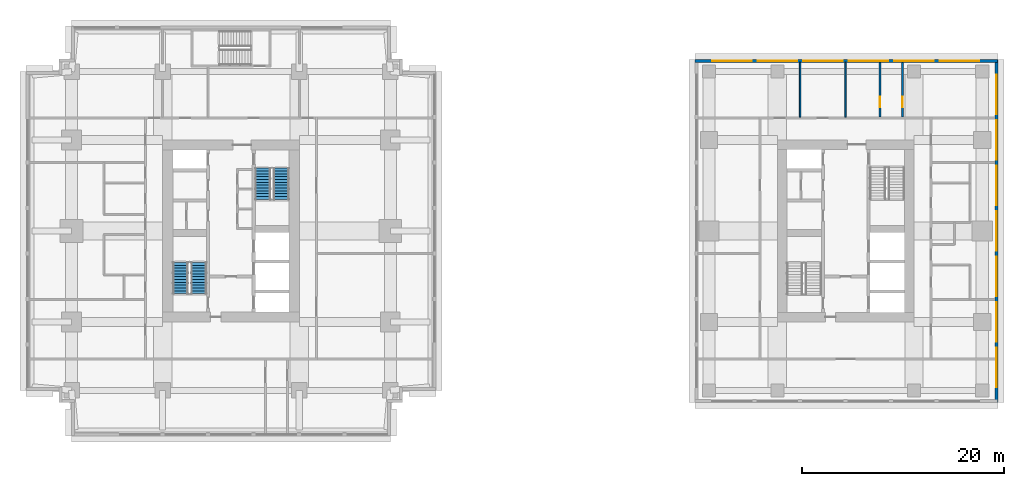
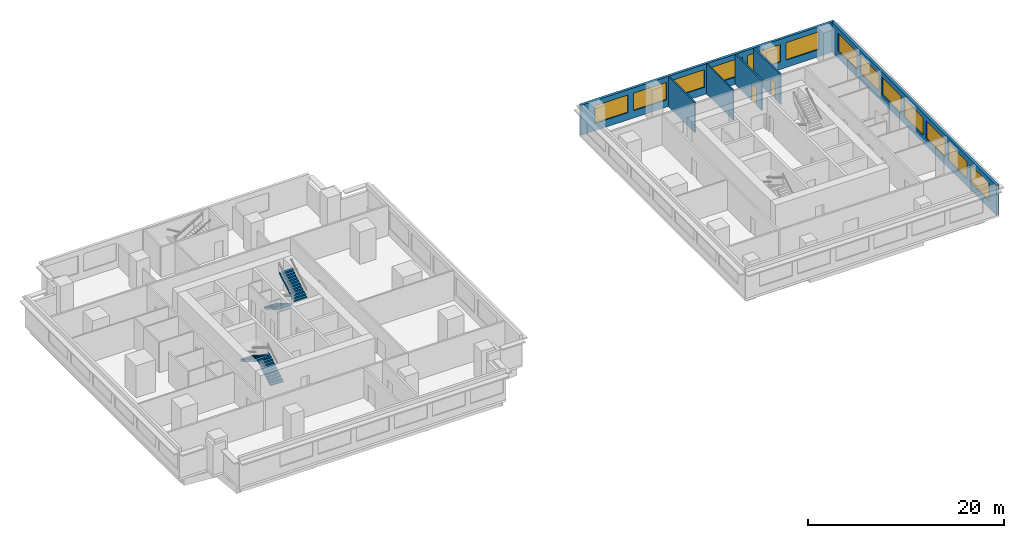
# One storey, part 8 of 11: 13 windows, 6 walls, 4 stair flights, 2 doors, 15 openings, 2 elements without a shape of their own.
"""IFC4 building model written with IfcOpenShell, lengths in metres."""

from ifc_helpers import new_model, si_unit, direction, frame, frame_2d, origin, place, context, subcontext, project, spatial, polyline, rectangle, outline, extrude, material, layer, layer_set, type_object, element, fill, aggregate, save


model = new_model("IFC4")

# Units and contexts
model_context = context("Model", 3, precision=1e-05, world=origin(), true_north=direction((0.0, 1.0)))
body_context = subcontext(model_context, "Body", "Model", "MODEL_VIEW")
ifc_project = project(units=[si_unit("LENGTHUNIT", "METRE"), si_unit("AREAUNIT", "SQUARE_METRE"), si_unit("VOLUMEUNIT", "CUBIC_METRE"), si_unit("PLANEANGLEUNIT", "RADIAN"), si_unit("MASSUNIT", "GRAM", prefix="KILO")], contexts=[model_context])

# Site, building, storey
site_placement = place(None, origin())
site = spatial("IfcSite", under=ifc_project, at=site_placement, CompositionType="ELEMENT")
building_placement = place(site_placement, origin())
building = spatial("IfcBuilding", under=site, at=building_placement, Name="Namib Vertical Campus", CompositionType="ELEMENT")
storey_placement = place(building_placement, frame((0.0, 0.0, 213.0)))
storey = spatial("IfcBuildingStorey", under=building, at=storey_placement, Name="L50", CompositionType="ELEMENT", Elevation=213.0)

# Wall, opening, door
ifc_material_1 = material(Name="Concrete masonry", Category="masonry")
ifc_layer_1 = layer(ifc_material_1, 0.199951171875)
ifc_layer_set_1 = layer_set([ifc_layer_1], Name="Corridor wall 200")
wall_type_1 = type_object("IfcWallType", Name="Corridor wall 200", PredefinedType="SOLIDWALL", material=ifc_layer_set_1)
wall_1_placement = place(storey_placement, frame((84.39990234375, 31.5, 0.0), z_axis=(0.0, 0.0, 1.0), x_axis=(0.0, 1.0, 0.0)))
wall_1 = element("IfcWall", 1, at=wall_1_placement, inside=storey, type_object=wall_type_1, Name="Corridor wall B L50 SPN1", PredefinedType="SOLIDWALL", context=body_context, shape_type="SweptSolid", body=[
    extrude(rectangle(XDim=5.39990234375, YDim=0.199951171875, at=frame_2d((2.699951171875, 0.0))), origin(), (0.0, 0.0, 1.0), 3.75),
])
opening_1_placement = place(wall_1_placement, frame((1.0, 0.0, 0.0)))
opening_1 = element("IfcOpeningElement", 2, at=opening_1_placement, cuts=wall_1, Name="Opening CD1", PredefinedType="OPENING", context=body_context, shape_type="SweptSolid", body=[
    extrude(rectangle(XDim=1.0, YDim=2.10009765625, at=frame_2d((0.5, 1.050048828125))), frame((0.0, 0.10986328125, 0.0), z_axis=(0.0, -1.0, 0.0), x_axis=(1.0, 0.0, 0.0)), (0.0, 0.0, 1.0), 0.219970703125),
])
ifc_material_2 = material(Name="Timber fire door leaf", Category="wood")
door_type = type_object("IfcDoorType", Name="Corridor door 1000x2100 20 min", OperationType="SINGLE_SWING_LEFT", PredefinedType="DOOR", material=ifc_material_2)
door_1_placement = place(opening_1_placement, origin())
door_1 = element("IfcDoor", 3, at=door_1_placement, inside=storey, type_object=door_type, Name="Door CD1 B50-11", OperationType="SINGLE_SWING_LEFT", OverallHeight=2.10009765625, OverallWidth=1.0, PredefinedType="DOOR", context=body_context, shape_type="SweptSolid", body=[
    extrude(rectangle(XDim=1.0, YDim=2.10009765625, at=frame_2d((0.5, 1.050048828125))), frame((0.0, 0.02490234375, 0.0), z_axis=(0.0, -1.0, 0.0), x_axis=(1.0, 0.0, 0.0)), (0.0, 0.0, 1.0), 0.050048828125),
])
fill(opening_1, door_1)

wall_2_placement = place(storey_placement, frame((86.60009765625, 36.89990234375, 0.0), z_axis=(0.0, 0.0, 1.0), x_axis=(0.0, -1.0, 0.0)))
wall_2 = element("IfcWall", 4, at=wall_2_placement, inside=storey, type_object=wall_type_1, Name="Corridor wall B L50 SPN2", PredefinedType="SOLIDWALL", context=body_context, shape_type="SweptSolid", body=[
    extrude(rectangle(XDim=5.39990234375, YDim=0.199951171875, at=frame_2d((2.699951171875, 0.0))), origin(), (0.0, 0.0, 1.0), 3.75),
])
opening_2_placement = place(wall_2_placement, frame((3.39990234375, 0.0, 0.0)))
opening_2 = element("IfcOpeningElement", 5, at=opening_2_placement, cuts=wall_2, Name="Opening CD1", PredefinedType="OPENING", context=body_context, shape_type="SweptSolid", body=[
    extrude(rectangle(XDim=1.0, YDim=2.10009765625, at=frame_2d((0.5, 1.050048828125))), frame((0.0, 0.10986328125, 0.0), z_axis=(0.0, -1.0, 0.0), x_axis=(1.0, 0.0, 0.0)), (0.0, 0.0, 1.0), 0.219970703125),
])
door_2_placement = place(opening_2_placement, origin())
door_2 = element("IfcDoor", 6, at=door_2_placement, inside=storey, type_object=door_type, Name="Door CD1 B50-12", OperationType="SINGLE_SWING_RIGHT", OverallHeight=2.10009765625, OverallWidth=1.0, PredefinedType="DOOR", context=body_context, shape_type="SweptSolid", body=[
    extrude(rectangle(XDim=1.0, YDim=2.10009765625, at=frame_2d((0.5, 1.050048828125))), frame((0.0, 0.02490234375, 0.0), z_axis=(0.0, -1.0, 0.0), x_axis=(1.0, 0.0, 0.0)), (0.0, 0.0, 1.0), 0.050048828125),
])
fill(opening_2, door_2)

# Wall, openings, windows
ifc_material_3 = material(Name="Concrete C40/50", Category="concrete")
ifc_layer_2 = layer(ifc_material_3, 0.300048828125)
ifc_layer_set_2 = layer_set([ifc_layer_2], Name="Concrete C40/50")
wall_type_2 = type_object("IfcWallType", Name="External wall 300 board-marked concrete", PredefinedType="STANDARD", material=ifc_layer_set_2)
wall_3_placement = place(storey_placement, frame((95.89990234375, 3.320068359375, 0.0), z_axis=(0.0, 0.0, 1.0), x_axis=(0.0, 1.0, 0.0)))
wall_3 = element("IfcWall", 7, at=wall_3_placement, inside=storey, type_object=wall_type_2, Name="External wall L50 F02", PredefinedType="STANDARD", context=body_context, shape_type="SweptSolid", body=[
    extrude(rectangle(XDim=33.85986328125, YDim=0.300048828125, at=frame_2d((16.929931640625, 0.0))), origin(), (0.0, 0.0, 1.0), 3.75),
])
opening_3_placement = place(wall_3_placement, frame((1.47998046875, 0.0, 0.89990234375)))
opening_3 = element("IfcOpeningElement", 8, at=opening_3_placement, cuts=wall_3, Name="Opening W1", PredefinedType="OPENING", context=body_context, shape_type="SweptSolid", body=[
    extrude(rectangle(XDim=3.89990234375, YDim=2.199951171875, at=frame_2d((1.949951171875, 1.10009765625))), frame((0.0, 0.159912109375, 0.0), z_axis=(0.0, -1.0, 0.0), x_axis=(1.0, 0.0, 0.0)), (0.0, 0.0, 1.0), 0.320068359375),
])
opening_4_placement = place(wall_3_placement, frame((5.97998046875, 0.0, 0.89990234375)))
opening_4 = element("IfcOpeningElement", 9, at=opening_4_placement, cuts=wall_3, Name="Opening W1", PredefinedType="OPENING", context=body_context, shape_type="SweptSolid", body=[
    extrude(rectangle(XDim=3.89990234375, YDim=2.199951171875, at=frame_2d((1.949951171875, 1.10009765625))), frame((0.0, 0.159912109375, 0.0), z_axis=(0.0, -1.0, 0.0), x_axis=(1.0, 0.0, 0.0)), (0.0, 0.0, 1.0), 0.320068359375),
])
opening_5_placement = place(wall_3_placement, frame((10.47998046875, 0.0, 0.89990234375)))
opening_5 = element("IfcOpeningElement", 10, at=opening_5_placement, cuts=wall_3, Name="Opening W1", PredefinedType="OPENING", context=body_context, shape_type="SweptSolid", body=[
    extrude(rectangle(XDim=3.89990234375, YDim=2.199951171875, at=frame_2d((1.949951171875, 1.10009765625))), frame((0.0, 0.159912109375, 0.0), z_axis=(0.0, -1.0, 0.0), x_axis=(1.0, 0.0, 0.0)), (0.0, 0.0, 1.0), 0.320068359375),
])
opening_6_placement = place(wall_3_placement, frame((14.97998046875, 0.0, 0.89990234375)))
opening_6 = element("IfcOpeningElement", 11, at=opening_6_placement, cuts=wall_3, Name="Opening W1", PredefinedType="OPENING", context=body_context, shape_type="SweptSolid", body=[
    extrude(rectangle(XDim=3.89990234375, YDim=2.199951171875, at=frame_2d((1.949951171875, 1.10009765625))), frame((0.0, 0.159912109375, 0.0), z_axis=(0.0, -1.0, 0.0), x_axis=(1.0, 0.0, 0.0)), (0.0, 0.0, 1.0), 0.320068359375),
])
opening_7_placement = place(wall_3_placement, frame((19.47998046875, 0.0, 0.89990234375)))
opening_7 = element("IfcOpeningElement", 12, at=opening_7_placement, cuts=wall_3, Name="Opening W1", PredefinedType="OPENING", context=body_context, shape_type="SweptSolid", body=[
    extrude(rectangle(XDim=3.89990234375, YDim=2.199951171875, at=frame_2d((1.949951171875, 1.10009765625))), frame((0.0, 0.159912109375, 0.0), z_axis=(0.0, -1.0, 0.0), x_axis=(1.0, 0.0, 0.0)), (0.0, 0.0, 1.0), 0.320068359375),
])
opening_8_placement = place(wall_3_placement, frame((23.97998046875, 0.0, 0.89990234375)))
opening_8 = element("IfcOpeningElement", 13, at=opening_8_placement, cuts=wall_3, Name="Opening W1", PredefinedType="OPENING", context=body_context, shape_type="SweptSolid", body=[
    extrude(rectangle(XDim=3.89990234375, YDim=2.199951171875, at=frame_2d((1.949951171875, 1.10009765625))), frame((0.0, 0.159912109375, 0.0), z_axis=(0.0, -1.0, 0.0), x_axis=(1.0, 0.0, 0.0)), (0.0, 0.0, 1.0), 0.320068359375),
])
opening_9_placement = place(wall_3_placement, frame((28.47998046875, 0.0, 0.89990234375)))
opening_9 = element("IfcOpeningElement", 14, at=opening_9_placement, cuts=wall_3, Name="Opening W1", PredefinedType="OPENING", context=body_context, shape_type="SweptSolid", body=[
    extrude(rectangle(XDim=3.89990234375, YDim=2.199951171875, at=frame_2d((1.949951171875, 1.10009765625))), frame((0.0, 0.159912109375, 0.0), z_axis=(0.0, -1.0, 0.0), x_axis=(1.0, 0.0, 0.0)), (0.0, 0.0, 1.0), 0.320068359375),
])
ifc_material_4 = material(Name="Dark tinted glass in black aluminium frame", Category="aluminium")
window_type = type_object("IfcWindowType", Name="Ribbon window 3900x2200", PartitioningType="SINGLE_PANEL", PredefinedType="WINDOW", material=ifc_material_4)
window_1_placement = place(opening_3_placement, origin())
window_1 = element("IfcWindow", 15, at=window_1_placement, inside=storey, type_object=window_type, Name="Window W1 L50 F02-1", OverallHeight=2.199951171875, OverallWidth=3.89990234375, PartitioningType="SINGLE_PANEL", PredefinedType="WINDOW", context=body_context, shape_type="SweptSolid", body=[
    extrude(rectangle(XDim=3.89990234375, YDim=2.199951171875, at=frame_2d((1.949951171875, 1.10009765625))), frame((0.0, 0.030029296875, 0.0), z_axis=(0.0, -1.0, 0.0), x_axis=(1.0, 0.0, 0.0)), (0.0, 0.0, 1.0), 0.06005859375),
])
fill(opening_3, window_1)
window_2_placement = place(opening_4_placement, origin())
window_2 = element("IfcWindow", 16, at=window_2_placement, inside=storey, type_object=window_type, Name="Window W1 L50 F02-2", OverallHeight=2.199951171875, OverallWidth=3.89990234375, PartitioningType="SINGLE_PANEL", PredefinedType="WINDOW", context=body_context, shape_type="SweptSolid", body=[
    extrude(rectangle(XDim=3.89990234375, YDim=2.199951171875, at=frame_2d((1.949951171875, 1.10009765625))), frame((0.0, 0.030029296875, 0.0), z_axis=(0.0, -1.0, 0.0), x_axis=(1.0, 0.0, 0.0)), (0.0, 0.0, 1.0), 0.06005859375),
])
fill(opening_4, window_2)
window_3_placement = place(opening_5_placement, origin())
window_3 = element("IfcWindow", 17, at=window_3_placement, inside=storey, type_object=window_type, Name="Window W1 L50 F02-3", OverallHeight=2.199951171875, OverallWidth=3.89990234375, PartitioningType="SINGLE_PANEL", PredefinedType="WINDOW", context=body_context, shape_type="SweptSolid", body=[
    extrude(rectangle(XDim=3.89990234375, YDim=2.199951171875, at=frame_2d((1.949951171875, 1.10009765625))), frame((0.0, 0.030029296875, 0.0), z_axis=(0.0, -1.0, 0.0), x_axis=(1.0, 0.0, 0.0)), (0.0, 0.0, 1.0), 0.06005859375),
])
fill(opening_5, window_3)
window_4_placement = place(opening_6_placement, origin())
window_4 = element("IfcWindow", 18, at=window_4_placement, inside=storey, type_object=window_type, Name="Window W1 L50 F02-4", OverallHeight=2.199951171875, OverallWidth=3.89990234375, PartitioningType="SINGLE_PANEL", PredefinedType="WINDOW", context=body_context, shape_type="SweptSolid", body=[
    extrude(rectangle(XDim=3.89990234375, YDim=2.199951171875, at=frame_2d((1.949951171875, 1.10009765625))), frame((0.0, 0.030029296875, 0.0), z_axis=(0.0, -1.0, 0.0), x_axis=(1.0, 0.0, 0.0)), (0.0, 0.0, 1.0), 0.06005859375),
])
fill(opening_6, window_4)
window_5_placement = place(opening_7_placement, origin())
window_5 = element("IfcWindow", 19, at=window_5_placement, inside=storey, type_object=window_type, Name="Window W1 L50 F02-5", OverallHeight=2.199951171875, OverallWidth=3.89990234375, PartitioningType="SINGLE_PANEL", PredefinedType="WINDOW", context=body_context, shape_type="SweptSolid", body=[
    extrude(rectangle(XDim=3.89990234375, YDim=2.199951171875, at=frame_2d((1.949951171875, 1.10009765625))), frame((0.0, 0.030029296875, 0.0), z_axis=(0.0, -1.0, 0.0), x_axis=(1.0, 0.0, 0.0)), (0.0, 0.0, 1.0), 0.06005859375),
])
fill(opening_7, window_5)
window_6_placement = place(opening_8_placement, origin())
window_6 = element("IfcWindow", 20, at=window_6_placement, inside=storey, type_object=window_type, Name="Window W1 L50 F02-6", OverallHeight=2.199951171875, OverallWidth=3.89990234375, PartitioningType="SINGLE_PANEL", PredefinedType="WINDOW", context=body_context, shape_type="SweptSolid", body=[
    extrude(rectangle(XDim=3.89990234375, YDim=2.199951171875, at=frame_2d((1.949951171875, 1.10009765625))), frame((0.0, 0.030029296875, 0.0), z_axis=(0.0, -1.0, 0.0), x_axis=(1.0, 0.0, 0.0)), (0.0, 0.0, 1.0), 0.06005859375),
])
fill(opening_8, window_6)
window_7_placement = place(opening_9_placement, origin())
window_7 = element("IfcWindow", 21, at=window_7_placement, inside=storey, type_object=window_type, Name="Window W1 L50 F02-7", OverallHeight=2.199951171875, OverallWidth=3.89990234375, PartitioningType="SINGLE_PANEL", PredefinedType="WINDOW", context=body_context, shape_type="SweptSolid", body=[
    extrude(rectangle(XDim=3.89990234375, YDim=2.199951171875, at=frame_2d((1.949951171875, 1.10009765625))), frame((0.0, 0.030029296875, 0.0), z_axis=(0.0, -1.0, 0.0), x_axis=(1.0, 0.0, 0.0)), (0.0, 0.0, 1.0), 0.06005859375),
])
fill(opening_9, window_7)

wall_4_placement = place(storey_placement, frame((96.030029296875, 37.050048828125, 0.0), z_axis=(0.0, 0.0, 1.0), x_axis=(-1.0, 0.0, 0.0)))
wall_4 = element("IfcWall", 22, at=wall_4_placement, inside=storey, type_object=wall_type_2, Name="External wall L50 F03", PredefinedType="STANDARD", context=body_context, shape_type="SweptSolid", body=[
    extrude(rectangle(XDim=29.909912109375, YDim=0.300048828125, at=frame_2d((14.955078125, 0.0))), origin(), (0.0, 0.0, 1.0), 3.75),
])
opening_10_placement = place(wall_4_placement, frame((24.330078125, 0.0, 0.89990234375)))
opening_10 = element("IfcOpeningElement", 23, at=opening_10_placement, cuts=wall_4, Name="Opening W1", PredefinedType="OPENING", context=body_context, shape_type="SweptSolid", body=[
    extrude(rectangle(XDim=3.89990234375, YDim=2.199951171875, at=frame_2d((1.949951171875, 1.10009765625))), frame((0.0, 0.159912109375, 0.0), z_axis=(0.0, -1.0, 0.0), x_axis=(1.0, 0.0, 0.0)), (0.0, 0.0, 1.0), 0.320068359375),
])
opening_11_placement = place(wall_4_placement, frame((19.830078125, 0.0, 0.89990234375)))
opening_11 = element("IfcOpeningElement", 24, at=opening_11_placement, cuts=wall_4, Name="Opening W1", PredefinedType="OPENING", context=body_context, shape_type="SweptSolid", body=[
    extrude(rectangle(XDim=3.89990234375, YDim=2.199951171875, at=frame_2d((1.949951171875, 1.10009765625))), frame((0.0, 0.159912109375, 0.0), z_axis=(0.0, -1.0, 0.0), x_axis=(1.0, 0.0, 0.0)), (0.0, 0.0, 1.0), 0.320068359375),
])
opening_12_placement = place(wall_4_placement, frame((15.330078125, 0.0, 0.89990234375)))
opening_12 = element("IfcOpeningElement", 25, at=opening_12_placement, cuts=wall_4, Name="Opening W1", PredefinedType="OPENING", context=body_context, shape_type="SweptSolid", body=[
    extrude(rectangle(XDim=3.89990234375, YDim=2.199951171875, at=frame_2d((1.949951171875, 1.10009765625))), frame((0.0, 0.159912109375, 0.0), z_axis=(0.0, -1.0, 0.0), x_axis=(1.0, 0.0, 0.0)), (0.0, 0.0, 1.0), 0.320068359375),
])
opening_13_placement = place(wall_4_placement, frame((10.830078125, 0.0, 0.89990234375)))
opening_13 = element("IfcOpeningElement", 26, at=opening_13_placement, cuts=wall_4, Name="Opening W1", PredefinedType="OPENING", context=body_context, shape_type="SweptSolid", body=[
    extrude(rectangle(XDim=3.89990234375, YDim=2.199951171875, at=frame_2d((1.949951171875, 1.10009765625))), frame((0.0, 0.159912109375, 0.0), z_axis=(0.0, -1.0, 0.0), x_axis=(1.0, 0.0, 0.0)), (0.0, 0.0, 1.0), 0.320068359375),
])
opening_14_placement = place(wall_4_placement, frame((6.330078125, 0.0, 0.89990234375)))
opening_14 = element("IfcOpeningElement", 27, at=opening_14_placement, cuts=wall_4, Name="Opening W1", PredefinedType="OPENING", context=body_context, shape_type="SweptSolid", body=[
    extrude(rectangle(XDim=3.89990234375, YDim=2.199951171875, at=frame_2d((1.949951171875, 1.10009765625))), frame((0.0, 0.159912109375, 0.0), z_axis=(0.0, -1.0, 0.0), x_axis=(1.0, 0.0, 0.0)), (0.0, 0.0, 1.0), 0.320068359375),
])
opening_15_placement = place(wall_4_placement, frame((1.830078125, 0.0, 0.89990234375)))
opening_15 = element("IfcOpeningElement", 28, at=opening_15_placement, cuts=wall_4, Name="Opening W1", PredefinedType="OPENING", context=body_context, shape_type="SweptSolid", body=[
    extrude(rectangle(XDim=3.89990234375, YDim=2.199951171875, at=frame_2d((1.949951171875, 1.10009765625))), frame((0.0, 0.159912109375, 0.0), z_axis=(0.0, -1.0, 0.0), x_axis=(1.0, 0.0, 0.0)), (0.0, 0.0, 1.0), 0.320068359375),
])
window_8_placement = place(opening_10_placement, origin())
window_8 = element("IfcWindow", 29, at=window_8_placement, inside=storey, type_object=window_type, Name="Window W1 L50 F03-1", OverallHeight=2.199951171875, OverallWidth=3.89990234375, PartitioningType="SINGLE_PANEL", PredefinedType="WINDOW", context=body_context, shape_type="SweptSolid", body=[
    extrude(rectangle(XDim=3.89990234375, YDim=2.199951171875, at=frame_2d((1.949951171875, 1.10009765625))), frame((0.0, 0.030029296875, 0.0), z_axis=(0.0, -1.0, 0.0), x_axis=(1.0, 0.0, 0.0)), (0.0, 0.0, 1.0), 0.06005859375),
])
fill(opening_10, window_8)
window_9_placement = place(opening_11_placement, origin())
window_9 = element("IfcWindow", 30, at=window_9_placement, inside=storey, type_object=window_type, Name="Window W1 L50 F03-2", OverallHeight=2.199951171875, OverallWidth=3.89990234375, PartitioningType="SINGLE_PANEL", PredefinedType="WINDOW", context=body_context, shape_type="SweptSolid", body=[
    extrude(rectangle(XDim=3.89990234375, YDim=2.199951171875, at=frame_2d((1.949951171875, 1.10009765625))), frame((0.0, 0.030029296875, 0.0), z_axis=(0.0, -1.0, 0.0), x_axis=(1.0, 0.0, 0.0)), (0.0, 0.0, 1.0), 0.06005859375),
])
fill(opening_11, window_9)
window_10_placement = place(opening_12_placement, origin())
window_10 = element("IfcWindow", 31, at=window_10_placement, inside=storey, type_object=window_type, Name="Window W1 L50 F03-3", OverallHeight=2.199951171875, OverallWidth=3.89990234375, PartitioningType="SINGLE_PANEL", PredefinedType="WINDOW", context=body_context, shape_type="SweptSolid", body=[
    extrude(rectangle(XDim=3.89990234375, YDim=2.199951171875, at=frame_2d((1.949951171875, 1.10009765625))), frame((0.0, 0.030029296875, 0.0), z_axis=(0.0, -1.0, 0.0), x_axis=(1.0, 0.0, 0.0)), (0.0, 0.0, 1.0), 0.06005859375),
])
fill(opening_12, window_10)
window_11_placement = place(opening_13_placement, origin())
window_11 = element("IfcWindow", 32, at=window_11_placement, inside=storey, type_object=window_type, Name="Window W1 L50 F03-4", OverallHeight=2.199951171875, OverallWidth=3.89990234375, PartitioningType="SINGLE_PANEL", PredefinedType="WINDOW", context=body_context, shape_type="SweptSolid", body=[
    extrude(rectangle(XDim=3.89990234375, YDim=2.199951171875, at=frame_2d((1.949951171875, 1.10009765625))), frame((0.0, 0.030029296875, 0.0), z_axis=(0.0, -1.0, 0.0), x_axis=(1.0, 0.0, 0.0)), (0.0, 0.0, 1.0), 0.06005859375),
])
fill(opening_13, window_11)
window_12_placement = place(opening_14_placement, origin())
window_12 = element("IfcWindow", 33, at=window_12_placement, inside=storey, type_object=window_type, Name="Window W1 L50 F03-5", OverallHeight=2.199951171875, OverallWidth=3.89990234375, PartitioningType="SINGLE_PANEL", PredefinedType="WINDOW", context=body_context, shape_type="SweptSolid", body=[
    extrude(rectangle(XDim=3.89990234375, YDim=2.199951171875, at=frame_2d((1.949951171875, 1.10009765625))), frame((0.0, 0.030029296875, 0.0), z_axis=(0.0, -1.0, 0.0), x_axis=(1.0, 0.0, 0.0)), (0.0, 0.0, 1.0), 0.06005859375),
])
fill(opening_14, window_12)
window_13_placement = place(opening_15_placement, origin())
window_13 = element("IfcWindow", 34, at=window_13_placement, inside=storey, type_object=window_type, Name="Window W1 L50 F03-6", OverallHeight=2.199951171875, OverallWidth=3.89990234375, PartitioningType="SINGLE_PANEL", PredefinedType="WINDOW", context=body_context, shape_type="SweptSolid", body=[
    extrude(rectangle(XDim=3.89990234375, YDim=2.199951171875, at=frame_2d((1.949951171875, 1.10009765625))), frame((0.0, 0.030029296875, 0.0), z_axis=(0.0, -1.0, 0.0), x_axis=(1.0, 0.0, 0.0)), (0.0, 0.0, 1.0), 0.06005859375),
])
fill(opening_15, window_13)

# Walls
ifc_material_5 = material(Name="Gypsum board on steel studs", Category="steel")
ifc_layer_3 = layer(ifc_material_5, 0.14990234375)
ifc_layer_set_3 = layer_set([ifc_layer_3], Name="Gypsum board on steel studs")
wall_type_3 = type_object("IfcWallType", Name="Partition 150", PredefinedType="PARTITIONING", material=ifc_layer_set_3)
for number, where, z_axis, x_axis, name in (
    (35, (76.5, 31.5, 0.0), (0.0, 0.0, 1.0), (0.0, 1.0, 0.0), "Partition B L50 PN1"),
    (36, (81.0, 31.5, 0.0), (0.0, 0.0, 1.0), (0.0, 1.0, 0.0), "Partition B L50 PN2"),
):
    element("IfcWall", number, at=place(storey_placement, frame(where, z_axis=z_axis, x_axis=x_axis)), inside=storey, type_object=wall_type_3, Name=name, PredefinedType="PARTITIONING", context=body_context, shape_type="SweptSolid", body=[
        extrude(rectangle(XDim=5.39990234375, YDim=0.14990234375, at=frame_2d((2.699951171875, 0.0))), origin(), (0.0, 0.0, 1.0), 3.75),
    ])

# Stair, stair flights
ifc_material_6 = material(Name="Concrete C40/50 precast", Category="concrete")
stair_type = type_object("IfcStairType", Name="Exit stair 4000 rise 24 risers 3350 wide", PredefinedType="HALF_TURN_STAIR", material=ifc_material_6)
stair_1_placement = place(storey_placement, origin())
stair_1 = element("IfcStair", 37, at=stair_1_placement, inside=storey, type_object=stair_type, Name="Exit stair A-S1 L50", PredefinedType="HALF_TURN_STAIR")
ifc_material_7 = material(Name="Concrete C40/50 precast", Category="concrete")
stair_flight_type = type_object("IfcStairFlightType", Name="Stair flight 12 risers 167 1525 wide", PredefinedType="STRAIGHT", material=ifc_material_7)
stair_flight_1_placement = place(storey_placement, frame((17.08740234375, 14.050048828125, 0.0), z_axis=(0.0, 0.0, 1.0), x_axis=(0.0, 1.0, 0.0)))
stair_flight_1 = element("IfcStairFlight", 38, at=stair_flight_1_placement, type_object=stair_flight_type, Name="A-S1 flight 1", NumberOfRisers=12, NumberOfTreads=11, PredefinedType="STRAIGHT", RiserHeight=0.166666667, TreadLength=0.28, context=body_context, shape_type="SweptSolid", body=[
    extrude(outline(polyline([(0.0, 0.0), (0.0, 0.166748046875), (0.280029296875, 0.166748046875), (0.280029296875, 0.333251953125), (0.56005859375, 0.333251953125), (0.56005859375, 0.5), (0.840087890625, 0.5), (0.840087890625, 0.666748046875), (1.1201171875, 0.666748046875), (1.1201171875, 0.833251953125), (1.39990234375, 0.833251953125), (1.39990234375, 1.0), (1.679931640625, 1.0), (1.679931640625, 1.166748046875), (1.9599609375, 1.166748046875), (1.9599609375, 1.333251953125), (2.239990234375, 1.333251953125), (2.239990234375, 1.5), (2.52001953125, 1.5), (2.52001953125, 1.666748046875), (2.800048828125, 1.666748046875), (2.800048828125, 1.833251953125), (3.080078125, 1.833251953125), (3.080078125, 2.0), (3.080078125, 1.658935546875), (0.29296875, 0.0), (0.0, 0.0)])), frame((0.0, 0.762451171875, 0.0), z_axis=(0.0, -1.0, 0.0), x_axis=(1.0, 0.0, 0.0)), (0.0, 0.0, 1.0), 1.52490234375),
])
stair_flight_2_placement = place(storey_placement, frame((15.262451171875, 17.1298828125, 2.0), z_axis=(0.0, 0.0, 1.0), x_axis=(0.0, -1.0, 0.0)))
stair_flight_2 = element("IfcStairFlight", 39, at=stair_flight_2_placement, type_object=stair_flight_type, Name="A-S1 flight 2", NumberOfRisers=12, NumberOfTreads=11, PredefinedType="STRAIGHT", RiserHeight=0.166666667, TreadLength=0.28, context=body_context, shape_type="SweptSolid", body=[
    extrude(outline(polyline([(0.0, 0.0), (0.0, 0.166748046875), (0.280029296875, 0.166748046875), (0.280029296875, 0.333251953125), (0.56005859375, 0.333251953125), (0.56005859375, 0.5), (0.840087890625, 0.5), (0.840087890625, 0.666748046875), (1.1201171875, 0.666748046875), (1.1201171875, 0.833251953125), (1.39990234375, 0.833251953125), (1.39990234375, 1.0), (1.679931640625, 1.0), (1.679931640625, 1.166748046875), (1.9599609375, 1.166748046875), (1.9599609375, 1.333251953125), (2.239990234375, 1.333251953125), (2.239990234375, 1.5), (2.52001953125, 1.5), (2.52001953125, 1.666748046875), (2.800048828125, 1.666748046875), (2.800048828125, 1.833251953125), (3.080078125, 1.833251953125), (3.080078125, 2.0), (3.080078125, 1.658935546875), (0.29296875, 0.0), (0.0, 0.0)])), frame((0.0, 0.762451171875, 0.0), z_axis=(0.0, -1.0, 0.0), x_axis=(1.0, 0.0, 0.0)), (0.0, 0.0, 1.0), 1.52490234375),
])
aggregate(stair_1, [stair_flight_1, stair_flight_2])

stair_2_placement = place(storey_placement, origin())
stair_2 = element("IfcStair", 40, at=stair_2_placement, inside=storey, type_object=stair_type, Name="Exit stair A-S2 L50", PredefinedType="HALF_TURN_STAIR")
stair_flight_3_placement = place(storey_placement, frame((23.41259765625, 26.449951171875, 0.0), z_axis=(0.0, 0.0, 1.0), x_axis=(0.0, -1.0, 0.0)))
stair_flight_3 = element("IfcStairFlight", 41, at=stair_flight_3_placement, type_object=stair_flight_type, Name="A-S2 flight 1", NumberOfRisers=12, NumberOfTreads=11, PredefinedType="STRAIGHT", RiserHeight=0.166666667, TreadLength=0.28, context=body_context, shape_type="SweptSolid", body=[
    extrude(outline(polyline([(0.0, 0.0), (0.0, 0.166748046875), (0.280029296875, 0.166748046875), (0.280029296875, 0.333251953125), (0.56005859375, 0.333251953125), (0.56005859375, 0.5), (0.840087890625, 0.5), (0.840087890625, 0.666748046875), (1.1201171875, 0.666748046875), (1.1201171875, 0.833251953125), (1.39990234375, 0.833251953125), (1.39990234375, 1.0), (1.679931640625, 1.0), (1.679931640625, 1.166748046875), (1.9599609375, 1.166748046875), (1.9599609375, 1.333251953125), (2.239990234375, 1.333251953125), (2.239990234375, 1.5), (2.52001953125, 1.5), (2.52001953125, 1.666748046875), (2.800048828125, 1.666748046875), (2.800048828125, 1.833251953125), (3.080078125, 1.833251953125), (3.080078125, 2.0), (3.080078125, 1.658935546875), (0.29296875, 0.0), (0.0, 0.0)])), frame((0.0, 0.762451171875, 0.0), z_axis=(0.0, -1.0, 0.0), x_axis=(1.0, 0.0, 0.0)), (0.0, 0.0, 1.0), 1.52490234375),
])
stair_flight_4_placement = place(storey_placement, frame((25.237548828125, 23.3701171875, 2.0), z_axis=(0.0, 0.0, 1.0), x_axis=(0.0, 1.0, 0.0)))
stair_flight_4 = element("IfcStairFlight", 42, at=stair_flight_4_placement, type_object=stair_flight_type, Name="A-S2 flight 2", NumberOfRisers=12, NumberOfTreads=11, PredefinedType="STRAIGHT", RiserHeight=0.166666667, TreadLength=0.28, context=body_context, shape_type="SweptSolid", body=[
    extrude(outline(polyline([(0.0, 0.0), (0.0, 0.166748046875), (0.280029296875, 0.166748046875), (0.280029296875, 0.333251953125), (0.56005859375, 0.333251953125), (0.56005859375, 0.5), (0.840087890625, 0.5), (0.840087890625, 0.666748046875), (1.1201171875, 0.666748046875), (1.1201171875, 0.833251953125), (1.39990234375, 0.833251953125), (1.39990234375, 1.0), (1.679931640625, 1.0), (1.679931640625, 1.166748046875), (1.9599609375, 1.166748046875), (1.9599609375, 1.333251953125), (2.239990234375, 1.333251953125), (2.239990234375, 1.5), (2.52001953125, 1.5), (2.52001953125, 1.666748046875), (2.800048828125, 1.666748046875), (2.800048828125, 1.833251953125), (3.080078125, 1.833251953125), (3.080078125, 2.0), (3.080078125, 1.658935546875), (0.29296875, 0.0), (0.0, 0.0)])), frame((0.0, 0.762451171875, 0.0), z_axis=(0.0, -1.0, 0.0), x_axis=(1.0, 0.0, 0.0)), (0.0, 0.0, 1.0), 1.52490234375),
])
aggregate(stair_2, [stair_flight_3, stair_flight_4])

save(model, "model.ifc")
